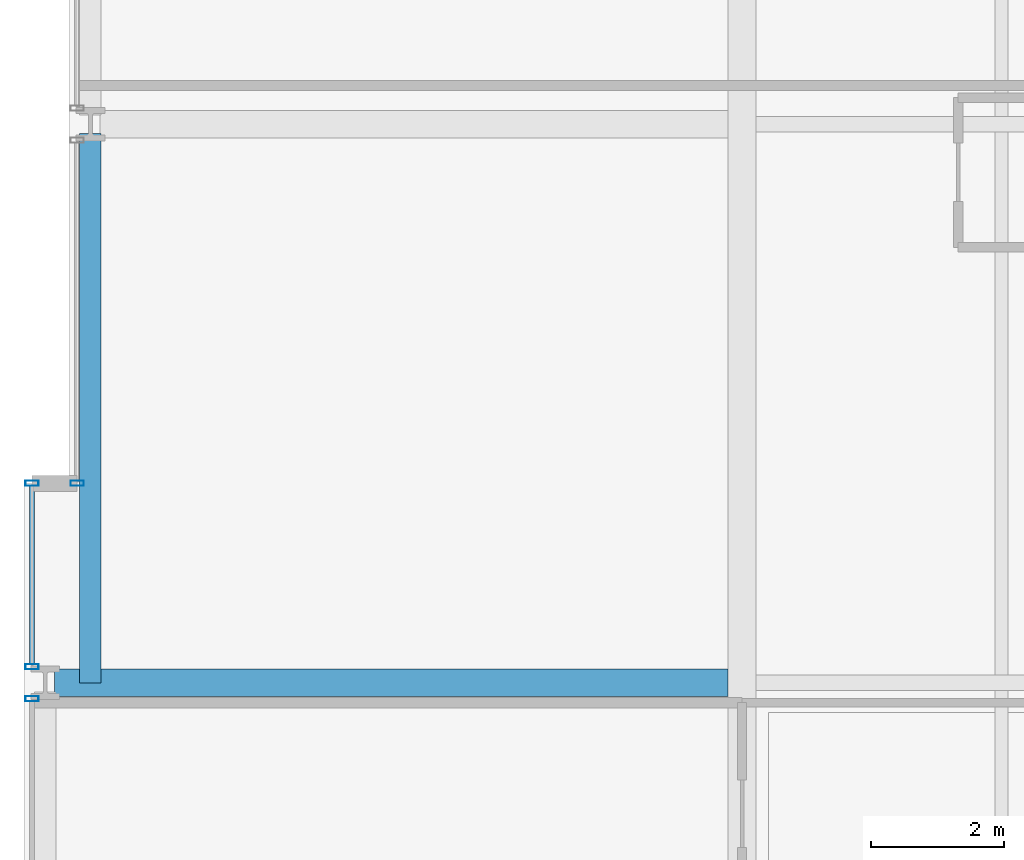
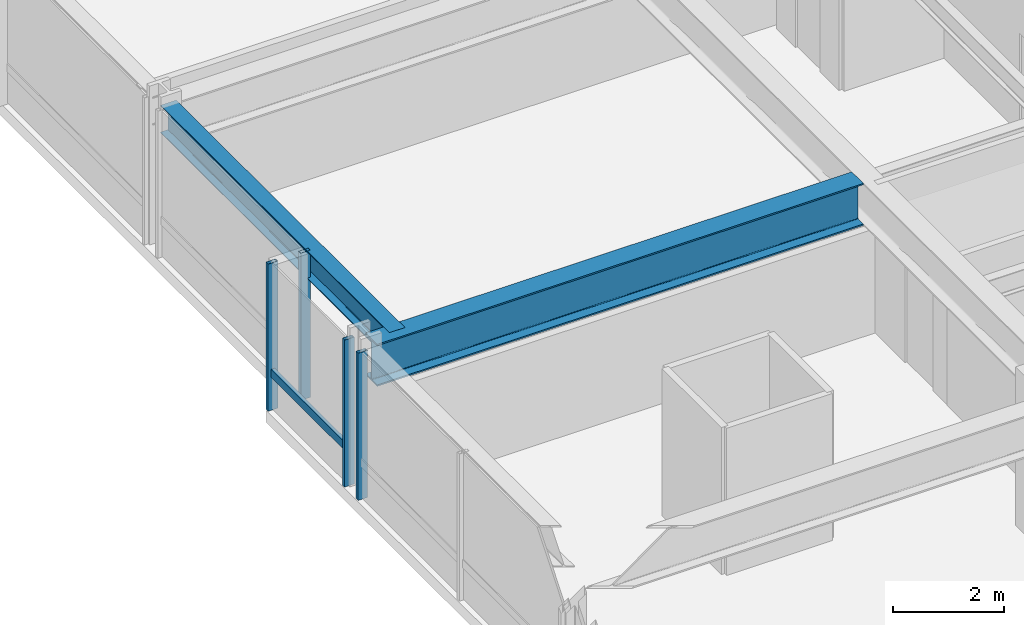
# One storey, part 7 of 38: 5 members, 2 beams, 3 elements without a shape of their own.
"""IFC4 building model written with IfcOpenShell, lengths in metres."""

from ifc_helpers import new_model, si_unit, direction, frame, origin, origin_2d, place, context, subcontext, project, spatial, hollow_rectangle, i_section, extrude, material, layer, layer_set, material_profile, profile_set, type_object, element, aggregate, save


model = new_model("IFC4")

# Units and contexts
model_context = context("Model", 3, precision=1e-05, world=origin(), true_north=direction((0.0, 1.0)))
body_context = subcontext(model_context, "Body", "Model", "MODEL_VIEW")
ifc_project = project(units=[si_unit("LENGTHUNIT", "METRE"), si_unit("AREAUNIT", "SQUARE_METRE"), si_unit("VOLUMEUNIT", "CUBIC_METRE"), si_unit("PLANEANGLEUNIT", "RADIAN"), si_unit("MASSUNIT", "GRAM", prefix="KILO")], contexts=[model_context])

# Site, building, storey
site_placement = place(None, origin())
site = spatial("IfcSite", under=ifc_project, at=site_placement, CompositionType="ELEMENT")
building_placement = place(site_placement, origin())
building = spatial("IfcBuilding", under=site, at=building_placement, Name="Drelvath Grand Hotel", CompositionType="ELEMENT")
storey_placement = place(building_placement, frame((0.0, 0.0, 47.199951171875)))
storey = spatial("IfcBuildingStorey", under=building, at=storey_placement, Name="L10", CompositionType="ELEMENT", Elevation=47.199951171875)

# Curtain wall, member
ifc_material_1 = material(Name="Warm Bronze Anodised Aluminium Frame", Category="aluminium")
ifc_layer = layer(ifc_material_1, 0.199951171875)
ifc_layer_set = layer_set([ifc_layer], Name="Warm Bronze Anodised Aluminium Frame")
curtain_wall_type = type_object("IfcCurtainWallType", Name="Stick Curtain Wall CW-02 Warm Bronze Low-Rise", PredefinedType="NOTDEFINED", material=ifc_layer_set)
curtain_wall_1_placement = place(storey_placement, origin())
curtain_wall_1 = element("IfcCurtainWall", 1, at=curtain_wall_1_placement, inside=storey, type_object=curtain_wall_type, Name="L10 CW-02 Curtain Wall CW02-L10-WS3", PredefinedType="NOTDEFINED")
ifc_material_profile_1 = material_profile(ifc_material_1, hollow_rectangle(XDim=0.074951171875, YDim=0.179931640625, WallThickness=0.0048828125, at=origin_2d()), Name="HSS180X75X5")
ifc_profile_set_1 = profile_set([ifc_material_profile_1], Name="Warm Bronze Anodised Aluminium Frame")
member_type_1 = type_object("IfcMemberType", Name="Curtain Wall Horizontal Transom CW-02 HSS180X75X5", PredefinedType="USERDEFINED", material=ifc_profile_set_1)
member_1_placement = place(storey_placement, frame((-26.8798828125, 18.880859375, 0.81005859375), z_axis=(0.0, 1.0, 0.0), x_axis=(-1.0, 0.0, 0.0)))
member_1 = element("IfcMember", 2, at=member_1_placement, type_object=member_type_1, Name="CW02-L10-WS3 Sill Transom", ObjectType="TRANSOM", PredefinedType="USERDEFINED", context=body_context, shape_type="SweptSolid", body=[
    extrude(hollow_rectangle(XDim=0.074951171875, YDim=0.179931640625, WallThickness=0.0048828125, at=origin_2d()), origin(), (0.0, 0.0, 1.0), 2.67919921875),
])

curtain_wall_2_placement = place(storey_placement, origin())
curtain_wall_2 = element("IfcCurtainWall", 3, at=curtain_wall_2_placement, inside=storey, type_object=curtain_wall_type, Name="L10 CW-02 Curtain Wall CW02-L10-WS2", PredefinedType="NOTDEFINED")
ifc_material_profile_2 = material_profile(ifc_material_1, hollow_rectangle(XDim=0.080078125, YDim=0.199951171875, WallThickness=0.0048828125, at=origin_2d()), Name="HSS200X80X5")
ifc_profile_set_2 = profile_set([ifc_material_profile_2], Name="Warm Bronze Anodised Aluminium Frame")
member_type_2 = type_object("IfcMemberType", Name="Curtain Wall Vertical Mullion CW-02 HSS200X80X5", PredefinedType="MULLION", material=ifc_profile_set_2)
member_2_placement = place(storey_placement, frame((-26.8798828125, 18.359130859375, 0.0), z_axis=(0.0, 0.0, 1.0), x_axis=(0.0, 1.0, 0.0)))
member_2 = element("IfcMember", 4, at=member_2_placement, type_object=member_type_2, Name="CW02-L10-WS2 Mullion 3", PredefinedType="MULLION", context=body_context, shape_type="SweptSolid", body=[
    extrude(hollow_rectangle(XDim=0.080078125, YDim=0.199951171875, WallThickness=0.0048828125, at=origin_2d()), origin(), (0.0, 0.0, 1.0), 3.239990234375),
])
aggregate(curtain_wall_2, [member_2])

# Member
member_3_placement = place(storey_placement, frame((-26.8798828125, 18.8408203125, 0.0), z_axis=(0.0, 0.0, 1.0), x_axis=(0.0, 1.0, 0.0)))
member_3 = element("IfcMember", 5, at=member_3_placement, type_object=member_type_2, Name="CW02-L10-WS3 Mullion 1", PredefinedType="MULLION", context=body_context, shape_type="SweptSolid", body=[
    extrude(hollow_rectangle(XDim=0.080078125, YDim=0.199951171875, WallThickness=0.0048828125, at=origin_2d()), origin(), (0.0, 0.0, 1.0), 3.239990234375),
])

member_4_placement = place(storey_placement, frame((-26.8798828125, 21.60009765625, 0.0), z_axis=(0.0, 0.0, 1.0), x_axis=(0.0, 1.0, 0.0)))
member_4 = element("IfcMember", 6, at=member_4_placement, type_object=member_type_2, Name="CW02-L10-WS3 Mullion 2", PredefinedType="MULLION", context=body_context, shape_type="SweptSolid", body=[
    extrude(hollow_rectangle(XDim=0.080078125, YDim=0.199951171875, WallThickness=0.0048828125, at=origin_2d()), origin(), (0.0, 0.0, 1.0), 3.239990234375),
])

aggregate(curtain_wall_1, [member_3, member_4, member_1])

# Curtain wall, member
curtain_wall_3_placement = place(storey_placement, origin())
curtain_wall_3 = element("IfcCurtainWall", 7, at=curtain_wall_3_placement, inside=storey, type_object=curtain_wall_type, Name="L10 CW-02 Curtain Wall CW02-L10-WM1", PredefinedType="NOTDEFINED")
member_5_placement = place(storey_placement, frame((-26.199951171875, 21.60009765625, 0.0), z_axis=(0.0, 0.0, 1.0), x_axis=(0.0, 1.0, 0.0)))
member_5 = element("IfcMember", 8, at=member_5_placement, type_object=member_type_2, Name="CW02-L10-WM1 Mullion 1", PredefinedType="MULLION", context=body_context, shape_type="SweptSolid", body=[
    extrude(hollow_rectangle(XDim=0.080078125, YDim=0.199951171875, WallThickness=0.0048828125, at=origin_2d()), origin(), (0.0, 0.0, 1.0), 3.239990234375),
])
aggregate(curtain_wall_3, [member_5])

# Beams
ifc_material_2 = material(Name="Steel ASTM A992 Gr 50", Category="steel")
ifc_material_profile_3 = material_profile(ifc_material_2, i_section(OverallWidth=0.323974609375, OverallDepth=0.611083984375, WebThickness=0.0126953125, FlangeThickness=0.01904296875, FilletRadius=0.02197265625, at=origin_2d()), Name="W24X104")
ifc_profile_set_3 = profile_set([ifc_material_profile_3], Name="Steel ASTM A992 Gr 50")
beam_type_1 = type_object("IfcBeamType", Name="Perimeter Spandrel Beam W24X104", PredefinedType="SPANDREL", material=ifc_profile_set_3)
beam_1_placement = place(storey_placement, frame((-26.0, 18.60009765625, 2.9345703125), z_axis=(0.0, 1.0, 0.0), x_axis=(-1.0, 0.0, 0.0)))
element("IfcBeam", 9, at=beam_1_placement, inside=storey, type_object=beam_type_1, Name="L10 Spandrel West Mid S", PredefinedType="SPANDREL", context=body_context, shape_type="SweptSolid", body=[
    extrude(i_section(OverallWidth=0.323974609375, OverallDepth=0.611083984375, WebThickness=0.0126953125, FlangeThickness=0.01904296875, FilletRadius=0.02197265625, at=origin_2d()), origin(), (0.0, 0.0, 1.0), 8.260009765625),
])
ifc_material_profile_4 = material_profile(ifc_material_2, i_section(OverallWidth=0.418212890625, OverallDepth=0.926513671875, WebThickness=0.019287109375, FlangeThickness=0.031982421875, FilletRadius=0.028076171875, at=origin_2d()), Name="W36X231")
ifc_profile_set_4 = profile_set([ifc_material_profile_4], Name="Steel ASTM A992 Gr 50")
beam_type_2 = type_object("IfcBeamType", Name="Primary Floor Girder W36X231", PredefinedType="BEAM", material=ifc_profile_set_4)
beam_2_placement = place(storey_placement, frame((-26.5400390625, 18.60009765625, 2.77685546875), z_axis=(1.0, 0.0, 0.0), x_axis=(0.0, 1.0, 0.0)))
element("IfcBeam", 10, at=beam_2_placement, inside=storey, type_object=beam_type_2, Name="L10 West Wing Girder D", PredefinedType="BEAM", context=body_context, shape_type="SweptSolid", body=[
    extrude(i_section(OverallWidth=0.418212890625, OverallDepth=0.926513671875, WebThickness=0.019287109375, FlangeThickness=0.031982421875, FilletRadius=0.028076171875, at=origin_2d()), origin(), (0.0, 0.0, 1.0), 10.130859375),
])

save(model, "model.ifc")
